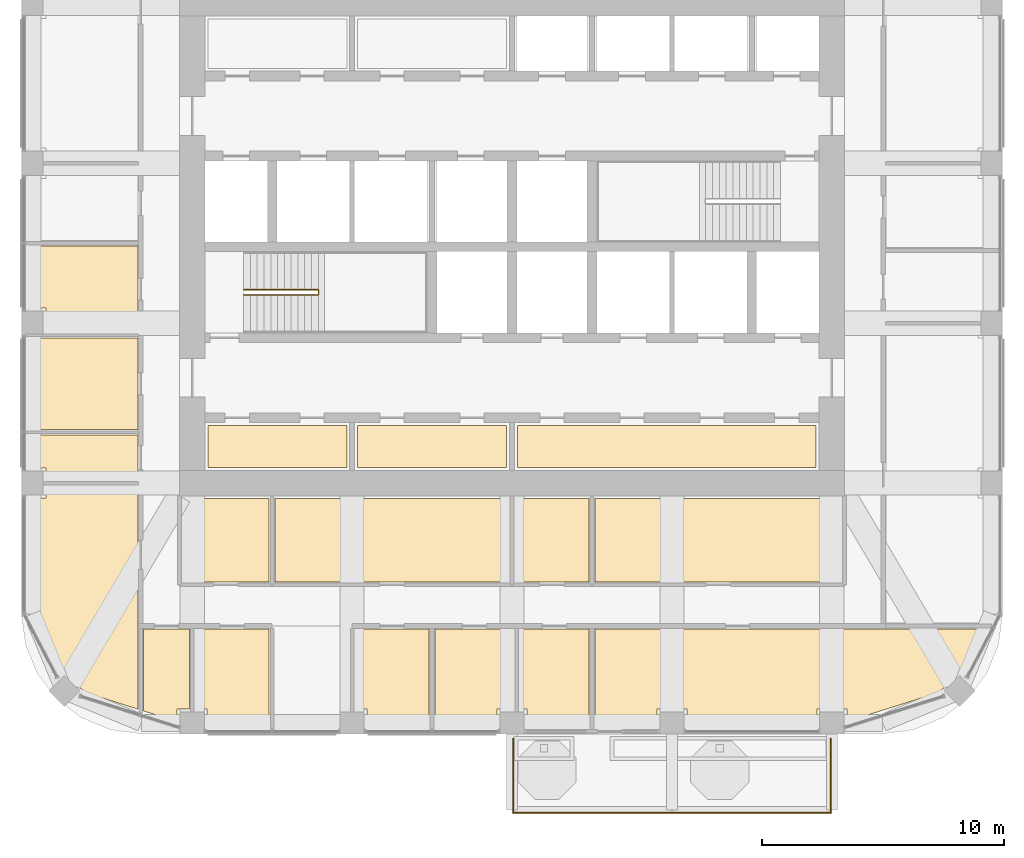
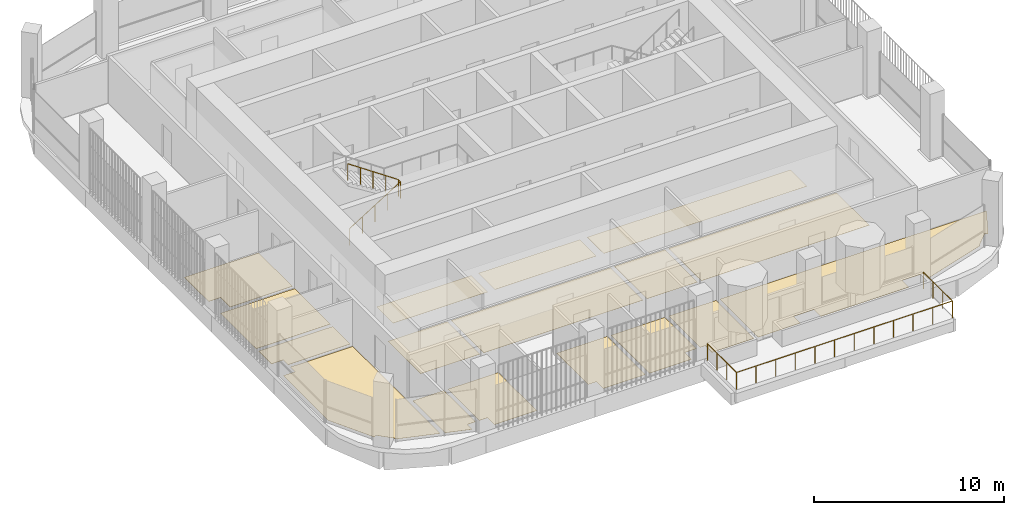
# One storey, part 18 of 21: 17 coverings, 2 railings.
"""IFC4 building model written with IfcOpenShell, lengths in metres."""

from ifc_helpers import new_model, si_unit, direction, frame, origin, place, context, subcontext, project, spatial, polyline, outline, extrude, material, layer, layer_set, type_object, element, save


model = new_model("IFC4")

# Units and contexts
model_context = context("Model", 3, precision=1e-05, world=origin(), true_north=direction((0.0, 1.0)))
body_context = subcontext(model_context, "Body", "Model", "MODEL_VIEW")
ifc_project = project(units=[si_unit("LENGTHUNIT", "METRE"), si_unit("AREAUNIT", "SQUARE_METRE"), si_unit("VOLUMEUNIT", "CUBIC_METRE"), si_unit("PLANEANGLEUNIT", "RADIAN"), si_unit("MASSUNIT", "GRAM", prefix="KILO")], contexts=[model_context])

# Site, building, storey
site_placement = place(None, origin())
site = spatial("IfcSite", under=ifc_project, at=site_placement, CompositionType="ELEMENT")
building_placement = place(site_placement, origin())
building = spatial("IfcBuilding", under=site, at=building_placement, Name="Cobogo Forest Laboratory Tower", CompositionType="ELEMENT")
storey_placement = place(building_placement, frame((0.0, 0.0, 258.60009765625)))
storey = spatial("IfcBuildingStorey", under=building, at=storey_placement, Name="L59", CompositionType="ELEMENT", Elevation=258.60009765625)

# Railing
ifc_material_1 = material(Name="Laminated glass balustrade", Category="glass")
railing_type_1 = type_object("IfcRailingType", Name="BG1 glass balustrade 1100", PredefinedType="GUARDRAIL", material=ifc_material_1)
railing_1_placement = place(storey_placement, frame((26.449951171875, 2.64990234375, 0.0)))
element("IfcRailing", 1, at=railing_1_placement, inside=storey, type_object=railing_type_1, Name="Balcony balustrade BAL-S1 L59", PredefinedType="GUARDRAIL", context=body_context, shape_type="SweptSolid", body=[
    extrude(outline(polyline([(0.022216796875, 0.00927734375), (0.00927734375, 0.022216796875), (-0.00927734375, 0.022216796875), (-0.022216796875, 0.00927734375), (-0.022216796875, -0.00927734375), (-0.00927734375, -0.022216796875), (0.00927734375, -0.022216796875), (0.022216796875, -0.00927734375), (0.022216796875, 0.00927734375)])), frame((0.0, 0.0, 1.077880859375), z_axis=(0.0, -1.0, 0.0), x_axis=(1.0, 0.0, 0.0)), (0.0, 0.0, 1.0), 3.0498046875),
    extrude(outline(polyline([(0.022216796875, 0.00927734375), (0.00927734375, 0.022216796875), (-0.00927734375, 0.022216796875), (-0.022216796875, 0.00927734375), (-0.022216796875, -0.00927734375), (-0.00927734375, -0.022216796875), (0.00927734375, -0.022216796875), (0.022216796875, -0.00927734375), (0.022216796875, 0.00927734375)])), frame((0.0, -3.0498046875, 1.077880859375), z_axis=(1.0, 0.0, 0.0), x_axis=(0.0, 1.0, 0.0)), (0.0, 0.0, 1.0), 13.10009765625),
    extrude(outline(polyline([(0.022216796875, 0.00927734375), (0.00927734375, 0.022216796875), (-0.00927734375, 0.022216796875), (-0.022216796875, 0.00927734375), (-0.022216796875, -0.00927734375), (-0.00927734375, -0.022216796875), (0.00927734375, -0.022216796875), (0.022216796875, -0.00927734375), (0.022216796875, 0.00927734375)])), frame((13.10009765625, -3.0498046875, 1.077880859375), z_axis=(0.0, 1.0, 0.0), x_axis=(-1.0, 0.0, 0.0)), (0.0, 0.0, 1.0), 3.0498046875),
    extrude(outline(polyline([(0.019287109375, 0.008056640625), (0.008056640625, 0.019287109375), (-0.008056640625, 0.019287109375), (-0.019287109375, 0.008056640625), (-0.019287109375, -0.008056640625), (-0.008056640625, -0.019287109375), (0.008056640625, -0.019287109375), (0.019287109375, -0.008056640625), (0.019287109375, 0.008056640625)])), origin(), (0.0, 0.0, 1.0), 1.077880859375),
    extrude(outline(polyline([(0.019287109375, 0.008056640625), (0.008056640625, 0.019287109375), (-0.008056640625, 0.019287109375), (-0.019287109375, 0.008056640625), (-0.019287109375, -0.008056640625), (-0.008056640625, -0.019287109375), (0.008056640625, -0.019287109375), (0.019287109375, -0.008056640625), (0.019287109375, 0.008056640625)])), frame((0.0, -1.0166015625, 0.0)), (0.0, 0.0, 1.0), 1.077880859375),
    extrude(outline(polyline([(0.019287109375, 0.008056640625), (0.008056640625, 0.019287109375), (-0.008056640625, 0.019287109375), (-0.019287109375, 0.008056640625), (-0.019287109375, -0.008056640625), (-0.008056640625, -0.019287109375), (0.008056640625, -0.019287109375), (0.019287109375, -0.008056640625), (0.019287109375, 0.008056640625)])), frame((0.0, -2.033203125, 0.0)), (0.0, 0.0, 1.0), 1.077880859375),
    extrude(outline(polyline([(0.019287109375, 0.008056640625), (0.008056640625, 0.019287109375), (-0.008056640625, 0.019287109375), (-0.019287109375, 0.008056640625), (-0.019287109375, -0.008056640625), (-0.008056640625, -0.019287109375), (0.008056640625, -0.019287109375), (0.019287109375, -0.008056640625), (0.019287109375, 0.008056640625)])), frame((0.0, -3.0498046875, 0.0)), (0.0, 0.0, 1.0), 1.077880859375),
    extrude(outline(polyline([(0.019287109375, 0.008056640625), (0.008056640625, 0.019287109375), (-0.008056640625, 0.019287109375), (-0.019287109375, 0.008056640625), (-0.019287109375, -0.008056640625), (-0.008056640625, -0.019287109375), (0.008056640625, -0.019287109375), (0.019287109375, -0.008056640625), (0.019287109375, 0.008056640625)])), frame((1.19091796875, -3.0498046875, 0.0)), (0.0, 0.0, 1.0), 1.077880859375),
    extrude(outline(polyline([(0.019287109375, 0.008056640625), (0.008056640625, 0.019287109375), (-0.008056640625, 0.019287109375), (-0.019287109375, 0.008056640625), (-0.019287109375, -0.008056640625), (-0.008056640625, -0.019287109375), (0.008056640625, -0.019287109375), (0.019287109375, -0.008056640625), (0.019287109375, 0.008056640625)])), frame((2.3818359375, -3.0498046875, 0.0)), (0.0, 0.0, 1.0), 1.077880859375),
    extrude(outline(polyline([(0.019287109375, 0.008056640625), (0.008056640625, 0.019287109375), (-0.008056640625, 0.019287109375), (-0.019287109375, 0.008056640625), (-0.019287109375, -0.008056640625), (-0.008056640625, -0.019287109375), (0.008056640625, -0.019287109375), (0.019287109375, -0.008056640625), (0.019287109375, 0.008056640625)])), frame((3.57275390625, -3.0498046875, 0.0)), (0.0, 0.0, 1.0), 1.077880859375),
    extrude(outline(polyline([(0.019287109375, 0.008056640625), (0.008056640625, 0.019287109375), (-0.008056640625, 0.019287109375), (-0.019287109375, 0.008056640625), (-0.019287109375, -0.008056640625), (-0.008056640625, -0.019287109375), (0.008056640625, -0.019287109375), (0.019287109375, -0.008056640625), (0.019287109375, 0.008056640625)])), frame((4.763671875, -3.0498046875, 0.0)), (0.0, 0.0, 1.0), 1.077880859375),
    extrude(outline(polyline([(0.019287109375, 0.008056640625), (0.008056640625, 0.019287109375), (-0.008056640625, 0.019287109375), (-0.019287109375, 0.008056640625), (-0.019287109375, -0.008056640625), (-0.008056640625, -0.019287109375), (0.008056640625, -0.019287109375), (0.019287109375, -0.008056640625), (0.019287109375, 0.008056640625)])), frame((5.95458984375, -3.0498046875, 0.0)), (0.0, 0.0, 1.0), 1.077880859375),
    extrude(outline(polyline([(0.019287109375, 0.008056640625), (0.008056640625, 0.019287109375), (-0.008056640625, 0.019287109375), (-0.019287109375, 0.008056640625), (-0.019287109375, -0.008056640625), (-0.008056640625, -0.019287109375), (0.008056640625, -0.019287109375), (0.019287109375, -0.008056640625), (0.019287109375, 0.008056640625)])), frame((7.1455078125, -3.0498046875, 0.0)), (0.0, 0.0, 1.0), 1.077880859375),
    extrude(outline(polyline([(0.019287109375, 0.008056640625), (0.008056640625, 0.019287109375), (-0.008056640625, 0.019287109375), (-0.019287109375, 0.008056640625), (-0.019287109375, -0.008056640625), (-0.008056640625, -0.019287109375), (0.008056640625, -0.019287109375), (0.019287109375, -0.008056640625), (0.019287109375, 0.008056640625)])), frame((8.33642578125, -3.0498046875, 0.0)), (0.0, 0.0, 1.0), 1.077880859375),
    extrude(outline(polyline([(0.019287109375, 0.008056640625), (0.008056640625, 0.019287109375), (-0.008056640625, 0.019287109375), (-0.019287109375, 0.008056640625), (-0.019287109375, -0.008056640625), (-0.008056640625, -0.019287109375), (0.008056640625, -0.019287109375), (0.019287109375, -0.008056640625), (0.019287109375, 0.008056640625)])), frame((9.52734375, -3.0498046875, 0.0)), (0.0, 0.0, 1.0), 1.077880859375),
    extrude(outline(polyline([(0.019287109375, 0.008056640625), (0.008056640625, 0.019287109375), (-0.008056640625, 0.019287109375), (-0.019287109375, 0.008056640625), (-0.019287109375, -0.008056640625), (-0.008056640625, -0.019287109375), (0.008056640625, -0.019287109375), (0.019287109375, -0.008056640625), (0.019287109375, 0.008056640625)])), frame((10.71826171875, -3.0498046875, 0.0)), (0.0, 0.0, 1.0), 1.077880859375),
    extrude(outline(polyline([(0.019287109375, 0.008056640625), (0.008056640625, 0.019287109375), (-0.008056640625, 0.019287109375), (-0.019287109375, 0.008056640625), (-0.019287109375, -0.008056640625), (-0.008056640625, -0.019287109375), (0.008056640625, -0.019287109375), (0.019287109375, -0.008056640625), (0.019287109375, 0.008056640625)])), frame((11.9091796875, -3.0498046875, 0.0)), (0.0, 0.0, 1.0), 1.077880859375),
    extrude(outline(polyline([(0.019287109375, 0.008056640625), (0.008056640625, 0.019287109375), (-0.008056640625, 0.019287109375), (-0.019287109375, 0.008056640625), (-0.019287109375, -0.008056640625), (-0.008056640625, -0.019287109375), (0.008056640625, -0.019287109375), (0.019287109375, -0.008056640625), (0.019287109375, 0.008056640625)])), frame((13.10009765625, -3.0498046875, 0.0)), (0.0, 0.0, 1.0), 1.077880859375),
    extrude(outline(polyline([(0.019287109375, 0.008056640625), (0.008056640625, 0.019287109375), (-0.008056640625, 0.019287109375), (-0.019287109375, 0.008056640625), (-0.019287109375, -0.008056640625), (-0.008056640625, -0.019287109375), (0.008056640625, -0.019287109375), (0.019287109375, -0.008056640625), (0.019287109375, 0.008056640625)])), frame((13.10009765625, -2.033203125, 0.0)), (0.0, 0.0, 1.0), 1.077880859375),
    extrude(outline(polyline([(0.019287109375, 0.008056640625), (0.008056640625, 0.019287109375), (-0.008056640625, 0.019287109375), (-0.019287109375, 0.008056640625), (-0.019287109375, -0.008056640625), (-0.008056640625, -0.019287109375), (0.008056640625, -0.019287109375), (0.019287109375, -0.008056640625), (0.019287109375, 0.008056640625)])), frame((13.10009765625, -1.0166015625, 0.0)), (0.0, 0.0, 1.0), 1.077880859375),
    extrude(outline(polyline([(0.019287109375, 0.008056640625), (0.008056640625, 0.019287109375), (-0.008056640625, 0.019287109375), (-0.019287109375, 0.008056640625), (-0.019287109375, -0.008056640625), (-0.008056640625, -0.019287109375), (0.008056640625, -0.019287109375), (0.019287109375, -0.008056640625), (0.019287109375, 0.008056640625)])), frame((13.10009765625, 0.0, 0.0)), (0.0, 0.0, 1.0), 1.077880859375),
])

# Coverings
ifc_material_2 = material(Name="Carpet tile on raised access floor", Category="flooring")
ifc_layer_1 = layer(ifc_material_2, 0.008056640625)
ifc_layer_set_1 = layer_set([ifc_layer_1], Name="CT1 carpet tile floor 8")
covering_type_1 = type_object("IfcCoveringType", Name="CT1 carpet tile floor 8", PredefinedType="FLOORING", material=ifc_layer_set_1)
covering_1_placement = place(storey_placement, origin())
element("IfcCovering", 2, at=covering_1_placement, inside=storey, type_object=covering_type_1, Name="Carpet floor L59-05", PredefinedType="FLOORING", context=body_context, shape_type="SweptSolid", body=[
    extrude(outline(polyline([(16.3798828125, 9.1201171875), (12.794921875, 9.1201171875), (12.794921875, 12.554931640625), (16.3798828125, 12.554931640625), (16.3798828125, 9.1201171875)])), origin(), (0.0, 0.0, 1.0), 0.0078125),
])
covering_2_placement = place(storey_placement, origin())
element("IfcCovering", 3, at=covering_2_placement, inside=storey, type_object=covering_type_1, Name="Carpet floor L59-06", PredefinedType="FLOORING", context=body_context, shape_type="SweptSolid", body=[
    extrude(outline(polyline([(26.280029296875, 9.1201171875), (16.6201171875, 9.1201171875), (16.6201171875, 12.554931640625), (26.280029296875, 12.554931640625), (26.280029296875, 9.1201171875)])), origin(), (0.0, 0.0, 1.0), 0.0078125),
])
covering_3_placement = place(storey_placement, origin())
element("IfcCovering", 4, at=covering_3_placement, inside=storey, type_object=covering_type_1, Name="Carpet floor L59-07", PredefinedType="FLOORING", context=body_context, shape_type="SweptSolid", body=[
    extrude(outline(polyline([(29.580078125, 9.1201171875), (26.52001953125, 9.1201171875), (26.52001953125, 12.554931640625), (29.580078125, 12.554931640625), (29.580078125, 9.1201171875)])), origin(), (0.0, 0.0, 1.0), 0.0078125),
])
covering_4_placement = place(storey_placement, origin())
element("IfcCovering", 5, at=covering_4_placement, inside=storey, type_object=covering_type_1, Name="Carpet floor L59-08", PredefinedType="FLOORING", context=body_context, shape_type="SweptSolid", body=[
    extrude(outline(polyline([(40.0048828125, 9.1201171875), (29.820068359375, 9.1201171875), (29.820068359375, 12.554931640625), (40.0048828125, 12.554931640625), (40.0048828125, 9.1201171875)])), origin(), (0.0, 0.0, 1.0), 0.0078125),
])
covering_5_placement = place(storey_placement, origin())
element("IfcCovering", 6, at=covering_5_placement, inside=storey, type_object=covering_type_1, Name="Carpet floor L59-09", PredefinedType="FLOORING", context=body_context, shape_type="SweptSolid", body=[
    extrude(outline(polyline([(13.080078125, 7.179931640625), (13.080078125, 3.8701171875), (12.580078125, 3.8701171875), (12.580078125, 3.35546875), (11.195068359375, 3.79296875), (11.195068359375, 7.179931640625), (13.080078125, 7.179931640625)])), origin(), (0.0, 0.0, 1.0), 0.0078125),
])
covering_6_placement = place(storey_placement, origin())
element("IfcCovering", 7, at=covering_6_placement, inside=storey, type_object=covering_type_1, Name="Carpet floor L59-10", PredefinedType="FLOORING", context=body_context, shape_type="SweptSolid", body=[
    extrude(outline(polyline([(16.3798828125, 7.179931640625), (16.3798828125, 3.14990234375), (13.820068359375, 3.14990234375), (13.820068359375, 3.8701171875), (13.320068359375, 3.8701171875), (13.320068359375, 7.179931640625), (16.3798828125, 7.179931640625)])), origin(), (0.0, 0.0, 1.0), 0.0078125),
])
covering_7_placement = place(storey_placement, origin())
element("IfcCovering", 8, at=covering_7_placement, inside=storey, type_object=covering_type_1, Name="Carpet floor L59-11", PredefinedType="FLOORING", context=body_context, shape_type="SweptSolid", body=[
    extrude(outline(polyline([(22.97998046875, 7.179931640625), (22.97998046875, 3.14990234375), (20.419921875, 3.14990234375), (20.419921875, 3.8701171875), (19.919921875, 3.8701171875), (19.919921875, 7.179931640625), (22.97998046875, 7.179931640625)])), origin(), (0.0, 0.0, 1.0), 0.0078125),
])
covering_8_placement = place(storey_placement, origin())
element("IfcCovering", 9, at=covering_8_placement, inside=storey, type_object=covering_type_1, Name="Carpet floor L59-12", PredefinedType="FLOORING", context=body_context, shape_type="SweptSolid", body=[
    extrude(outline(polyline([(26.47998046875, 7.179931640625), (26.47998046875, 3.8701171875), (25.780029296875, 3.8701171875), (25.780029296875, 3.14990234375), (23.219970703125, 3.14990234375), (23.219970703125, 7.179931640625), (26.47998046875, 7.179931640625)])), origin(), (0.0, 0.0, 1.0), 0.0078125),
])
covering_9_placement = place(storey_placement, origin())
element("IfcCovering", 10, at=covering_9_placement, inside=storey, type_object=covering_type_1, Name="Carpet floor L59-14", PredefinedType="FLOORING", context=body_context, shape_type="SweptSolid", body=[
    extrude(outline(polyline([(44.10986328125, 4.583984375), (40.219970703125, 3.35546875), (40.219970703125, 3.8701171875), (38.97998046875, 3.8701171875), (38.97998046875, 3.14990234375), (33.6201171875, 3.14990234375), (33.6201171875, 3.8701171875), (32.3798828125, 3.8701171875), (32.3798828125, 3.14990234375), (29.820068359375, 3.14990234375), (29.820068359375, 7.179931640625), (45.999267578125, 7.179931640625), (45.010986328125, 5.294921875), (44.882080078125, 5.424072265625), (44.075927734375, 4.617919921875), (44.10986328125, 4.583984375)])), origin(), (0.0, 0.0, 1.0), 0.0078125),
])
covering_10_placement = place(storey_placement, origin())
element("IfcCovering", 11, at=covering_10_placement, inside=storey, type_object=covering_type_1, Name="Carpet floor L59-36", PredefinedType="FLOORING", context=body_context, shape_type="SweptSolid", body=[
    extrude(outline(polyline([(26.179931640625, 13.844970703125), (20.02001953125, 13.844970703125), (20.02001953125, 15.580078125), (26.179931640625, 15.580078125), (26.179931640625, 13.844970703125)])), origin(), (0.0, 0.0, 1.0), 0.0078125),
])
covering_11_placement = place(storey_placement, origin())
element("IfcCovering", 12, at=covering_11_placement, inside=storey, type_object=covering_type_1, Name="Carpet floor L59-37", PredefinedType="FLOORING", context=body_context, shape_type="SweptSolid", body=[
    extrude(outline(polyline([(38.955078125, 13.844970703125), (26.6201171875, 13.844970703125), (26.6201171875, 15.580078125), (38.955078125, 15.580078125), (38.955078125, 13.844970703125)])), origin(), (0.0, 0.0, 1.0), 0.0078125),
])

# Railing
ifc_material_3 = material(Name="Steel balustrade", Category="steel")
railing_type_2 = type_object("IfcRailingType", Name="GR stair guard 1100", PredefinedType="GUARDRAIL", material=ifc_material_3)
railing_2_placement = place(storey_placement, frame((15.324951171875, 20.969970703125, 0.1748046875)))
element("IfcRailing", 13, at=railing_2_placement, inside=storey, type_object=railing_type_2, Name="Stair guard ST1 L59", PredefinedType="GUARDRAIL", context=body_context, shape_type="SweptSolid", body=[
    extrude(outline(polyline([(0.022216796875, 0.00927734375), (0.00927734375, 0.022216796875), (-0.00927734375, 0.022216796875), (-0.022216796875, 0.00927734375), (-0.022216796875, -0.00927734375), (-0.00927734375, -0.022216796875), (0.00927734375, -0.022216796875), (0.022216796875, -0.00927734375), (0.022216796875, 0.00927734375)])), frame((0.0, 0.0, 1.077880859375), z_axis=(0.847998304005, 0.0, 0.529998940003), x_axis=(0.0, 1.0, 0.0)), (0.0, 0.0, 1.0), 3.632080078125),
    extrude(outline(polyline([(0.022216796875, 0.00927734375), (0.00927734375, 0.022216796875), (-0.00927734375, 0.022216796875), (-0.022216796875, 0.00927734375), (-0.022216796875, -0.00927734375), (-0.00927734375, -0.022216796875), (0.00927734375, -0.022216796875), (0.022216796875, -0.00927734375), (0.022216796875, 0.00927734375)])), frame((3.080078125, 0.0, 3.0029296875), z_axis=(0.0, 1.0, 0.0), x_axis=(-1.0, 0.0, 0.0)), (0.0, 0.0, 1.0), 0.2099609375),
    extrude(outline(polyline([(0.022216796875, 0.00927734375), (0.00927734375, 0.022216796875), (-0.00927734375, 0.022216796875), (-0.022216796875, 0.00927734375), (-0.022216796875, -0.00927734375), (-0.00927734375, -0.022216796875), (0.00927734375, -0.022216796875), (0.022216796875, -0.00927734375), (0.022216796875, 0.00927734375)])), frame((3.080078125, 0.2099609375, 3.0029296875), z_axis=(-0.826221800596, 0.0, 0.563344953133), x_axis=(0.0, -1.0, 0.0)), (0.0, 0.0, 1.0), 3.72802734375),
    extrude(outline(polyline([(0.019287109375, 0.008056640625), (0.008056640625, 0.019287109375), (-0.008056640625, 0.019287109375), (-0.019287109375, 0.008056640625), (-0.019287109375, -0.008056640625), (-0.008056640625, -0.019287109375), (0.008056640625, -0.019287109375), (0.019287109375, -0.008056640625), (0.019287109375, 0.008056640625)])), origin(), (0.0, 0.0, 1.0), 1.077880859375),
    extrude(outline(polyline([(0.019287109375, 0.008056640625), (0.008056640625, 0.019287109375), (-0.008056640625, 0.019287109375), (-0.019287109375, 0.008056640625), (-0.019287109375, -0.008056640625), (-0.008056640625, -0.019287109375), (0.008056640625, -0.019287109375), (0.019287109375, -0.008056640625), (0.019287109375, 0.008056640625)])), frame((0.77001953125, 0.0, 0.481201171875)), (0.0, 0.0, 1.0), 1.077880859375),
    extrude(outline(polyline([(0.019287109375, 0.008056640625), (0.008056640625, 0.019287109375), (-0.008056640625, 0.019287109375), (-0.019287109375, 0.008056640625), (-0.019287109375, -0.008056640625), (-0.008056640625, -0.019287109375), (0.008056640625, -0.019287109375), (0.019287109375, -0.008056640625), (0.019287109375, 0.008056640625)])), frame((1.5400390625, 0.0, 0.96240234375)), (0.0, 0.0, 1.0), 1.077880859375),
    extrude(outline(polyline([(0.019287109375, 0.008056640625), (0.008056640625, 0.019287109375), (-0.008056640625, 0.019287109375), (-0.019287109375, 0.008056640625), (-0.019287109375, -0.008056640625), (-0.008056640625, -0.019287109375), (0.008056640625, -0.019287109375), (0.019287109375, -0.008056640625), (0.019287109375, 0.008056640625)])), frame((2.31005859375, 0.0, 1.44384765625)), (0.0, 0.0, 1.0), 1.077880859375),
    extrude(outline(polyline([(0.019287109375, 0.008056640625), (0.008056640625, 0.019287109375), (-0.008056640625, 0.019287109375), (-0.019287109375, 0.008056640625), (-0.019287109375, -0.008056640625), (-0.008056640625, -0.019287109375), (0.008056640625, -0.019287109375), (0.019287109375, -0.008056640625), (0.019287109375, 0.008056640625)])), frame((3.080078125, 0.0, 1.925048828125)), (0.0, 0.0, 1.0), 1.077880859375),
    extrude(outline(polyline([(0.019287109375, 0.008056640625), (0.008056640625, 0.019287109375), (-0.008056640625, 0.019287109375), (-0.019287109375, 0.008056640625), (-0.019287109375, -0.008056640625), (-0.008056640625, -0.019287109375), (0.008056640625, -0.019287109375), (0.019287109375, -0.008056640625), (0.019287109375, 0.008056640625)])), frame((3.080078125, 0.2099609375, 1.925048828125)), (0.0, 0.0, 1.0), 1.077880859375),
    extrude(outline(polyline([(0.019287109375, 0.008056640625), (0.008056640625, 0.019287109375), (-0.008056640625, 0.019287109375), (-0.019287109375, 0.008056640625), (-0.019287109375, -0.008056640625), (-0.008056640625, -0.019287109375), (0.008056640625, -0.019287109375), (0.019287109375, -0.008056640625), (0.019287109375, 0.008056640625)])), frame((2.31005859375, 0.2099609375, 2.4501953125)), (0.0, 0.0, 1.0), 1.077880859375),
    extrude(outline(polyline([(0.019287109375, 0.008056640625), (0.008056640625, 0.019287109375), (-0.008056640625, 0.019287109375), (-0.019287109375, 0.008056640625), (-0.019287109375, -0.008056640625), (-0.008056640625, -0.019287109375), (0.008056640625, -0.019287109375), (0.019287109375, -0.008056640625), (0.019287109375, 0.008056640625)])), frame((1.5400390625, 0.2099609375, 2.97509765625)), (0.0, 0.0, 1.0), 1.077880859375),
    extrude(outline(polyline([(0.019287109375, 0.008056640625), (0.008056640625, 0.019287109375), (-0.008056640625, 0.019287109375), (-0.019287109375, 0.008056640625), (-0.019287109375, -0.008056640625), (-0.008056640625, -0.019287109375), (0.008056640625, -0.019287109375), (0.019287109375, -0.008056640625), (0.019287109375, 0.008056640625)])), frame((0.77001953125, 0.2099609375, 3.5)), (0.0, 0.0, 1.0), 1.077880859375),
    extrude(outline(polyline([(0.019287109375, 0.008056640625), (0.008056640625, 0.019287109375), (-0.008056640625, 0.019287109375), (-0.019287109375, 0.008056640625), (-0.019287109375, -0.008056640625), (-0.008056640625, -0.019287109375), (0.008056640625, -0.019287109375), (0.019287109375, -0.008056640625), (0.019287109375, 0.008056640625)])), frame((0.0, 0.2099609375, 4.025146484375)), (0.0, 0.0, 1.0), 1.077880859375),
])

# Coverings
ifc_material_4 = material(Name="Epoxy resin flooring", Category="flooring")
ifc_layer_2 = layer(ifc_material_4, 0.00390625)
ifc_layer_set_2 = layer_set([ifc_layer_2], Name="LF1 epoxy laboratory floor 4")
covering_type_2 = type_object("IfcCoveringType", Name="LF1 epoxy laboratory floor 4", PredefinedType="FLOORING", material=ifc_layer_set_2)
covering_12_placement = place(storey_placement, origin())
element("IfcCovering", 14, at=covering_12_placement, inside=storey, type_object=covering_type_2, Name="Epoxy laboratory floor L59-22", PredefinedType="FLOORING", context=body_context, shape_type="SweptSolid", body=[
    extrude(outline(polyline([(8.68994140625, 4.583984375), (8.72412109375, 4.617919921875), (7.91796875, 5.424072265625), (7.788818359375, 5.294921875), (6.449951171875, 7.84912109375), (6.449951171875, 12.580078125), (7.169921875, 12.580078125), (7.169921875, 13.080078125), (10.955078125, 13.080078125), (10.955078125, 3.86865234375), (8.68994140625, 4.583984375)])), origin(), (0.0, 0.0, 1.0), 0.00390625),
])
ifc_material_5 = material(Name="Ceramic floor tile", Category="flooring")
ifc_layer_3 = layer(ifc_material_5, 0.010009765625)
ifc_layer_set_3 = layer_set([ifc_layer_3], Name="TF1 ceramic tile floor 10")
covering_type_3 = type_object("IfcCoveringType", Name="TF1 ceramic tile floor 10", PredefinedType="FLOORING", material=ifc_layer_set_3)
covering_13_placement = place(storey_placement, origin())
element("IfcCovering", 15, at=covering_13_placement, inside=storey, type_object=covering_type_3, Name="Tile floor L59-13", PredefinedType="FLOORING", context=body_context, shape_type="SweptSolid", body=[
    extrude(outline(polyline([(29.580078125, 7.179931640625), (29.580078125, 3.14990234375), (27.02001953125, 3.14990234375), (27.02001953125, 3.8701171875), (26.719970703125, 3.8701171875), (26.719970703125, 7.179931640625), (29.580078125, 7.179931640625)])), origin(), (0.0, 0.0, 1.0), 0.010009765625),
])
covering_14_placement = place(storey_placement, origin())
element("IfcCovering", 16, at=covering_14_placement, inside=storey, type_object=covering_type_3, Name="Tile floor L59-23", PredefinedType="FLOORING", context=body_context, shape_type="SweptSolid", body=[
    extrude(outline(polyline([(10.955078125, 13.320068359375), (7.169921875, 13.320068359375), (7.169921875, 13.820068359375), (6.449951171875, 13.820068359375), (6.449951171875, 15.179931640625), (10.955078125, 15.179931640625), (10.955078125, 13.320068359375)])), origin(), (0.0, 0.0, 1.0), 0.010009765625),
])
covering_15_placement = place(storey_placement, origin())
element("IfcCovering", 17, at=covering_15_placement, inside=storey, type_object=covering_type_3, Name="Tile floor L59-24", PredefinedType="FLOORING", context=body_context, shape_type="SweptSolid", body=[
    extrude(outline(polyline([(10.955078125, 15.419921875), (6.449951171875, 15.419921875), (6.449951171875, 19.179931640625), (10.955078125, 19.179931640625), (10.955078125, 15.419921875)])), origin(), (0.0, 0.0, 1.0), 0.010009765625),
])
covering_16_placement = place(storey_placement, origin())
element("IfcCovering", 18, at=covering_16_placement, inside=storey, type_object=covering_type_3, Name="Tile floor L59-25", PredefinedType="FLOORING", context=body_context, shape_type="SweptSolid", body=[
    extrude(outline(polyline([(10.955078125, 19.419921875), (7.169921875, 19.419921875), (7.169921875, 20.419921875), (6.449951171875, 20.419921875), (6.449951171875, 22.97998046875), (10.955078125, 22.97998046875), (10.955078125, 19.419921875)])), origin(), (0.0, 0.0, 1.0), 0.010009765625),
])
covering_17_placement = place(storey_placement, origin())
element("IfcCovering", 19, at=covering_17_placement, inside=storey, type_object=covering_type_3, Name="Tile floor L59-35", PredefinedType="FLOORING", context=body_context, shape_type="SweptSolid", body=[
    extrude(outline(polyline([(19.580078125, 13.844970703125), (13.844970703125, 13.844970703125), (13.844970703125, 15.580078125), (19.580078125, 15.580078125), (19.580078125, 13.844970703125)])), origin(), (0.0, 0.0, 1.0), 0.010009765625),
])

save(model, "model.ifc")
